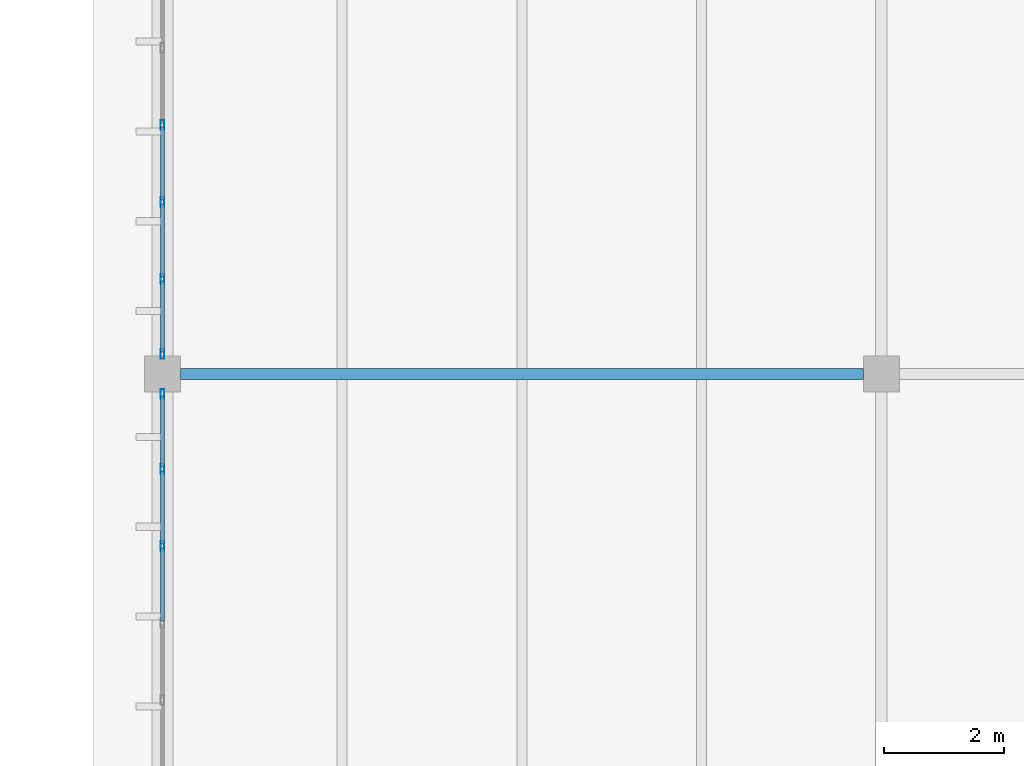
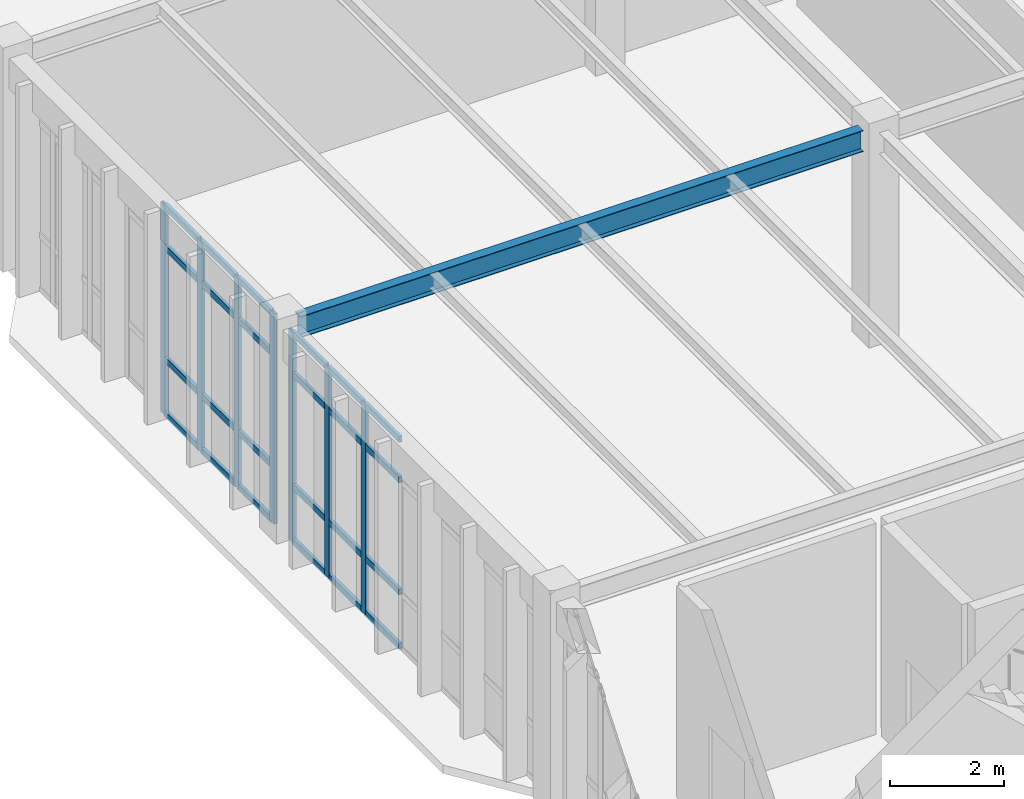
# One storey, part 157 of 236: 31 members, 1 beam, 2 elements without a shape of their own.
"""IFC4 building model written with IfcOpenShell, lengths in metres."""

from ifc_helpers import new_model, si_unit, direction, frame, origin, origin_2d, place, context, subcontext, project, spatial, hollow_rectangle, i_section, extrude, material, layer, layer_set, material_profile, profile_set, type_object, element, aggregate, save


model = new_model("IFC4")

# Units and contexts
model_context = context("Model", 3, precision=1e-05, world=origin(), true_north=direction((0.0, 1.0)))
body_context = subcontext(model_context, "Body", "Model", "MODEL_VIEW")
ifc_project = project(units=[si_unit("LENGTHUNIT", "METRE"), si_unit("AREAUNIT", "SQUARE_METRE"), si_unit("VOLUMEUNIT", "CUBIC_METRE"), si_unit("PLANEANGLEUNIT", "RADIAN"), si_unit("MASSUNIT", "GRAM", prefix="KILO")], contexts=[model_context])

# Site, building, storey
site_placement = place(None, origin())
site = spatial("IfcSite", under=ifc_project, at=site_placement, CompositionType="ELEMENT")
building_placement = place(site_placement, origin())
building = spatial("IfcBuilding", under=site, at=building_placement, Name="Pandanus Reach Market Hall", CompositionType="ELEMENT")
storey_placement = place(building_placement, frame((0.0, 0.0, 5.39990234375)))
storey = spatial("IfcBuildingStorey", under=building, at=storey_placement, Name="L01", CompositionType="ELEMENT", Elevation=5.39990234375)

# Beam
ifc_material_1 = material(Name="Steel Grade 350 (350 MPa)", Category="steel")
ifc_material_profile_1 = material_profile(ifc_material_1, i_section(OverallWidth=0.18994140625, OverallDepth=0.45703125, WebThickness=0.009033203125, FlangeThickness=0.014404296875, at=origin_2d()), Name="460UB74.6", Category="LoadBearing")
ifc_profile_set_1 = profile_set([ifc_material_profile_1], Name="Steel Grade 350 (350 MPa)")
beam_type = type_object("IfcBeamType", Name="BM-UB460-I", PredefinedType="BEAM", material=ifc_profile_set_1)
beam_placement = place(storey_placement, frame((144.298095703125, 67.199951171875, 4.311279296875), z_axis=(1.0, 0.0, 0.0), x_axis=(0.0, 1.0, 0.0)))
element("IfcBeam", 1, at=beam_placement, inside=storey, type_object=beam_type, Name="Framing beam BM-UB460-I L01.324", PredefinedType="BEAM", context=body_context, shape_type="SweptSolid", body=[
    extrude(i_section(OverallWidth=0.18994140625, OverallDepth=0.45703125, WebThickness=0.009033203125, FlangeThickness=0.014404296875, at=origin_2d()), origin(), (0.0, 0.0, 1.0), 11.40380859375),
])

# Curtain wall, members
ifc_material_2 = material(Name="Bronze anodised aluminium and low-E glass", Category="aluminium")
ifc_layer = layer(ifc_material_2, 0.159912109375, Name="CW-29")
ifc_layer_set = layer_set([ifc_layer], Name="Bronze anodised aluminium and low-E glass")
curtain_wall_type = type_object("IfcCurtainWallType", Name="CW-29", PredefinedType="NOTDEFINED", material=ifc_layer_set)
curtain_wall_1_placement = place(storey_placement, origin())
curtain_wall_1 = element("IfcCurtainWall", 2, at=curtain_wall_1_placement, inside=storey, type_object=curtain_wall_type, Name="Glazed curtain wall CW-29 CW-0096", PredefinedType="NOTDEFINED")
ifc_material_3 = material(Name="Bronze anodised aluminium", Category="aluminium")
ifc_material_profile_2 = material_profile(ifc_material_3, hollow_rectangle(XDim=0.06494140625, YDim=0.159912109375, WallThickness=0.00390625, at=origin_2d()), Name="ALU65x160", Category="LoadBearing")
ifc_profile_set_2 = profile_set([ifc_material_profile_2], Name="Bronze anodised aluminium")
member_type_1 = type_object("IfcMemberType", Name="CW-M1", PredefinedType="MULLION", material=ifc_profile_set_2)
member_1_placement = place(storey_placement, frame((144.0, 64.32861328125, 0.0), z_axis=(0.0, 0.0, 1.0), x_axis=(-1.0, 0.0, 0.0)))
member_1 = element("IfcMember", 3, at=member_1_placement, type_object=member_type_1, Name="CW-29 mullion 6", PredefinedType="MULLION", context=body_context, shape_type="SweptSolid", body=[
    extrude(hollow_rectangle(XDim=0.06494140625, YDim=0.159912109375, WallThickness=0.00390625, at=origin_2d()), origin(), (0.0, 0.0, 1.0), 4.5),
])
member_2_placement = place(storey_placement, frame((144.0, 65.6142578125, 0.0), z_axis=(0.0, 0.0, 1.0), x_axis=(-1.0, 0.0, 0.0)))
member_2 = element("IfcMember", 4, at=member_2_placement, type_object=member_type_1, Name="CW-29 mullion 7", PredefinedType="MULLION", context=body_context, shape_type="SweptSolid", body=[
    extrude(hollow_rectangle(XDim=0.06494140625, YDim=0.159912109375, WallThickness=0.00390625, at=origin_2d()), origin(), (0.0, 0.0, 1.0), 4.5),
])
member_3_placement = place(storey_placement, frame((144.0, 66.867431640625, 0.0), z_axis=(0.0, 0.0, 1.0), x_axis=(-1.0, 0.0, 0.0)))
member_3 = element("IfcMember", 5, at=member_3_placement, type_object=member_type_1, Name="CW-29 mullion 8", PredefinedType="MULLION", context=body_context, shape_type="SweptSolid", body=[
    extrude(hollow_rectangle(XDim=0.06494140625, YDim=0.159912109375, WallThickness=0.00390625, at=origin_2d()), origin(), (0.0, 0.0, 1.0), 4.5),
])

curtain_wall_2_placement = place(storey_placement, origin())
curtain_wall_2 = element("IfcCurtainWall", 6, at=curtain_wall_2_placement, inside=storey, type_object=curtain_wall_type, Name="Glazed curtain wall CW-29 CW-0097", PredefinedType="NOTDEFINED")
member_4_placement = place(storey_placement, frame((144.0, 67.532470703125, 0.0), z_axis=(0.0, 0.0, 1.0), x_axis=(-1.0, 0.0, 0.0)))
member_4 = element("IfcMember", 7, at=member_4_placement, type_object=member_type_1, Name="CW-29 mullion 1", PredefinedType="MULLION", context=body_context, shape_type="SweptSolid", body=[
    extrude(hollow_rectangle(XDim=0.06494140625, YDim=0.159912109375, WallThickness=0.00390625, at=origin_2d()), origin(), (0.0, 0.0, 1.0), 4.5),
])
member_5_placement = place(storey_placement, frame((144.0, 68.78564453125, 0.0), z_axis=(0.0, 0.0, 1.0), x_axis=(-1.0, 0.0, 0.0)))
member_5 = element("IfcMember", 8, at=member_5_placement, type_object=member_type_1, Name="CW-29 mullion 2", PredefinedType="MULLION", context=body_context, shape_type="SweptSolid", body=[
    extrude(hollow_rectangle(XDim=0.06494140625, YDim=0.159912109375, WallThickness=0.00390625, at=origin_2d()), origin(), (0.0, 0.0, 1.0), 4.5),
])
member_6_placement = place(storey_placement, frame((144.0, 70.071533203125, 0.0), z_axis=(0.0, 0.0, 1.0), x_axis=(-1.0, 0.0, 0.0)))
member_6 = element("IfcMember", 9, at=member_6_placement, type_object=member_type_1, Name="CW-29 mullion 3", PredefinedType="MULLION", context=body_context, shape_type="SweptSolid", body=[
    extrude(hollow_rectangle(XDim=0.06494140625, YDim=0.159912109375, WallThickness=0.00390625, at=origin_2d()), origin(), (0.0, 0.0, 1.0), 4.5),
])
member_7_placement = place(storey_placement, frame((144.0, 71.357177734375, 0.0), z_axis=(0.0, 0.0, 1.0), x_axis=(-1.0, 0.0, 0.0)))
member_7 = element("IfcMember", 10, at=member_7_placement, type_object=member_type_1, Name="CW-29 mullion 4", PredefinedType="MULLION", context=body_context, shape_type="SweptSolid", body=[
    extrude(hollow_rectangle(XDim=0.06494140625, YDim=0.159912109375, WallThickness=0.00390625, at=origin_2d()), origin(), (0.0, 0.0, 1.0), 4.5),
])

# Member
ifc_material_profile_3 = material_profile(ifc_material_3, hollow_rectangle(XDim=0.06494140625, YDim=0.1298828125, WallThickness=0.00390625, at=origin_2d()), Name="ALU65x130", Category="LoadBearing")
ifc_profile_set_3 = profile_set([ifc_material_profile_3], Name="Bronze anodised aluminium")
member_type_2 = type_object("IfcMemberType", Name="CW-T1", PredefinedType="USERDEFINED", material=ifc_profile_set_3)
member_8_placement = place(storey_placement, frame((144.0, 63.075439453125, 0.03271484375), z_axis=(0.0, 1.0, 0.0), x_axis=(-1.0, 0.0, 0.0)))
member_8 = element("IfcMember", 11, at=member_8_placement, type_object=member_type_2, Name="CW-29 transom 5.1", ObjectType="TRANSOM", PredefinedType="USERDEFINED", context=body_context, shape_type="SweptSolid", body=[
    extrude(hollow_rectangle(XDim=0.06494140625, YDim=0.1298828125, WallThickness=0.00390625, at=origin_2d()), origin(), (0.0, 0.0, 1.0), 1.220703125),
])

member_9_placement = place(storey_placement, frame((144.0, 63.075439453125, 1.2001953125), z_axis=(0.0, 1.0, 0.0), x_axis=(-1.0, 0.0, 0.0)))
member_9 = element("IfcMember", 12, at=member_9_placement, type_object=member_type_2, Name="CW-29 transom 5.2", ObjectType="TRANSOM", PredefinedType="USERDEFINED", context=body_context, shape_type="SweptSolid", body=[
    extrude(hollow_rectangle(XDim=0.06494140625, YDim=0.1298828125, WallThickness=0.00390625, at=origin_2d()), origin(), (0.0, 0.0, 1.0), 1.220703125),
])

member_10_placement = place(storey_placement, frame((144.0, 63.075439453125, 3.60009765625), z_axis=(0.0, 1.0, 0.0), x_axis=(-1.0, 0.0, 0.0)))
member_10 = element("IfcMember", 13, at=member_10_placement, type_object=member_type_2, Name="CW-29 transom 5.3", ObjectType="TRANSOM", PredefinedType="USERDEFINED", context=body_context, shape_type="SweptSolid", body=[
    extrude(hollow_rectangle(XDim=0.06494140625, YDim=0.1298828125, WallThickness=0.00390625, at=origin_2d()), origin(), (0.0, 0.0, 1.0), 1.220703125),
])

member_11_placement = place(storey_placement, frame((144.0, 63.075439453125, 4.467529296875), z_axis=(0.0, 1.0, 0.0), x_axis=(-1.0, 0.0, 0.0)))
member_11 = element("IfcMember", 14, at=member_11_placement, type_object=member_type_2, Name="CW-29 transom 5.4", ObjectType="TRANSOM", PredefinedType="USERDEFINED", context=body_context, shape_type="SweptSolid", body=[
    extrude(hollow_rectangle(XDim=0.06494140625, YDim=0.1298828125, WallThickness=0.00390625, at=origin_2d()), origin(), (0.0, 0.0, 1.0), 1.220703125),
])

member_12_placement = place(storey_placement, frame((144.0, 64.361083984375, 0.03271484375), z_axis=(0.0, 1.0, 0.0), x_axis=(-1.0, 0.0, 0.0)))
member_12 = element("IfcMember", 15, at=member_12_placement, type_object=member_type_2, Name="CW-29 transom 6.1", ObjectType="TRANSOM", PredefinedType="USERDEFINED", context=body_context, shape_type="SweptSolid", body=[
    extrude(hollow_rectangle(XDim=0.06494140625, YDim=0.1298828125, WallThickness=0.00390625, at=origin_2d()), origin(), (0.0, 0.0, 1.0), 1.220703125),
])

member_13_placement = place(storey_placement, frame((144.0, 64.361083984375, 1.2001953125), z_axis=(0.0, 1.0, 0.0), x_axis=(-1.0, 0.0, 0.0)))
member_13 = element("IfcMember", 16, at=member_13_placement, type_object=member_type_2, Name="CW-29 transom 6.2", ObjectType="TRANSOM", PredefinedType="USERDEFINED", context=body_context, shape_type="SweptSolid", body=[
    extrude(hollow_rectangle(XDim=0.06494140625, YDim=0.1298828125, WallThickness=0.00390625, at=origin_2d()), origin(), (0.0, 0.0, 1.0), 1.220703125),
])

member_14_placement = place(storey_placement, frame((144.0, 64.361083984375, 3.60009765625), z_axis=(0.0, 1.0, 0.0), x_axis=(-1.0, 0.0, 0.0)))
member_14 = element("IfcMember", 17, at=member_14_placement, type_object=member_type_2, Name="CW-29 transom 6.3", ObjectType="TRANSOM", PredefinedType="USERDEFINED", context=body_context, shape_type="SweptSolid", body=[
    extrude(hollow_rectangle(XDim=0.06494140625, YDim=0.1298828125, WallThickness=0.00390625, at=origin_2d()), origin(), (0.0, 0.0, 1.0), 1.220703125),
])

member_15_placement = place(storey_placement, frame((144.0, 64.361083984375, 4.467529296875), z_axis=(0.0, 1.0, 0.0), x_axis=(-1.0, 0.0, 0.0)))
member_15 = element("IfcMember", 18, at=member_15_placement, type_object=member_type_2, Name="CW-29 transom 6.4", ObjectType="TRANSOM", PredefinedType="USERDEFINED", context=body_context, shape_type="SweptSolid", body=[
    extrude(hollow_rectangle(XDim=0.06494140625, YDim=0.1298828125, WallThickness=0.00390625, at=origin_2d()), origin(), (0.0, 0.0, 1.0), 1.220703125),
])

member_16_placement = place(storey_placement, frame((144.0, 65.646728515625, 0.03271484375), z_axis=(0.0, 1.0, 0.0), x_axis=(-1.0, 0.0, 0.0)))
member_16 = element("IfcMember", 19, at=member_16_placement, type_object=member_type_2, Name="CW-29 transom 7.1", ObjectType="TRANSOM", PredefinedType="USERDEFINED", context=body_context, shape_type="SweptSolid", body=[
    extrude(hollow_rectangle(XDim=0.06494140625, YDim=0.1298828125, WallThickness=0.00390625, at=origin_2d()), origin(), (0.0, 0.0, 1.0), 1.188232421875),
])

member_17_placement = place(storey_placement, frame((144.0, 65.646728515625, 1.2001953125), z_axis=(0.0, 1.0, 0.0), x_axis=(-1.0, 0.0, 0.0)))
member_17 = element("IfcMember", 20, at=member_17_placement, type_object=member_type_2, Name="CW-29 transom 7.2", ObjectType="TRANSOM", PredefinedType="USERDEFINED", context=body_context, shape_type="SweptSolid", body=[
    extrude(hollow_rectangle(XDim=0.06494140625, YDim=0.1298828125, WallThickness=0.00390625, at=origin_2d()), origin(), (0.0, 0.0, 1.0), 1.188232421875),
])

member_18_placement = place(storey_placement, frame((144.0, 65.646728515625, 3.60009765625), z_axis=(0.0, 1.0, 0.0), x_axis=(-1.0, 0.0, 0.0)))
member_18 = element("IfcMember", 21, at=member_18_placement, type_object=member_type_2, Name="CW-29 transom 7.3", ObjectType="TRANSOM", PredefinedType="USERDEFINED", context=body_context, shape_type="SweptSolid", body=[
    extrude(hollow_rectangle(XDim=0.06494140625, YDim=0.1298828125, WallThickness=0.00390625, at=origin_2d()), origin(), (0.0, 0.0, 1.0), 1.188232421875),
])

member_19_placement = place(storey_placement, frame((144.0, 65.646728515625, 4.467529296875), z_axis=(0.0, 1.0, 0.0), x_axis=(-1.0, 0.0, 0.0)))
member_19 = element("IfcMember", 22, at=member_19_placement, type_object=member_type_2, Name="CW-29 transom 7.4", ObjectType="TRANSOM", PredefinedType="USERDEFINED", context=body_context, shape_type="SweptSolid", body=[
    extrude(hollow_rectangle(XDim=0.06494140625, YDim=0.1298828125, WallThickness=0.00390625, at=origin_2d()), origin(), (0.0, 0.0, 1.0), 1.188232421875),
])

aggregate(curtain_wall_1, [member_1, member_2, member_3, member_8, member_9, member_10, member_11, member_12, member_13, member_14, member_15, member_16, member_17, member_18, member_19])

member_20_placement = place(storey_placement, frame((144.0, 67.56494140625, 0.03271484375), z_axis=(0.0, 1.0, 0.0), x_axis=(-1.0, 0.0, 0.0)))
member_20 = element("IfcMember", 23, at=member_20_placement, type_object=member_type_2, Name="CW-29 transom 1.1", ObjectType="TRANSOM", PredefinedType="USERDEFINED", context=body_context, shape_type="SweptSolid", body=[
    extrude(hollow_rectangle(XDim=0.06494140625, YDim=0.1298828125, WallThickness=0.00390625, at=origin_2d()), origin(), (0.0, 0.0, 1.0), 1.188232421875),
])

member_21_placement = place(storey_placement, frame((144.0, 67.56494140625, 1.2001953125), z_axis=(0.0, 1.0, 0.0), x_axis=(-1.0, 0.0, 0.0)))
member_21 = element("IfcMember", 24, at=member_21_placement, type_object=member_type_2, Name="CW-29 transom 1.2", ObjectType="TRANSOM", PredefinedType="USERDEFINED", context=body_context, shape_type="SweptSolid", body=[
    extrude(hollow_rectangle(XDim=0.06494140625, YDim=0.1298828125, WallThickness=0.00390625, at=origin_2d()), origin(), (0.0, 0.0, 1.0), 1.188232421875),
])

member_22_placement = place(storey_placement, frame((144.0, 67.56494140625, 3.60009765625), z_axis=(0.0, 1.0, 0.0), x_axis=(-1.0, 0.0, 0.0)))
member_22 = element("IfcMember", 25, at=member_22_placement, type_object=member_type_2, Name="CW-29 transom 1.3", ObjectType="TRANSOM", PredefinedType="USERDEFINED", context=body_context, shape_type="SweptSolid", body=[
    extrude(hollow_rectangle(XDim=0.06494140625, YDim=0.1298828125, WallThickness=0.00390625, at=origin_2d()), origin(), (0.0, 0.0, 1.0), 1.188232421875),
])

member_23_placement = place(storey_placement, frame((144.0, 67.56494140625, 4.467529296875), z_axis=(0.0, 1.0, 0.0), x_axis=(-1.0, 0.0, 0.0)))
member_23 = element("IfcMember", 26, at=member_23_placement, type_object=member_type_2, Name="CW-29 transom 1.4", ObjectType="TRANSOM", PredefinedType="USERDEFINED", context=body_context, shape_type="SweptSolid", body=[
    extrude(hollow_rectangle(XDim=0.06494140625, YDim=0.1298828125, WallThickness=0.00390625, at=origin_2d()), origin(), (0.0, 0.0, 1.0), 1.188232421875),
])

member_24_placement = place(storey_placement, frame((144.0, 68.818115234375, 0.03271484375), z_axis=(0.0, 1.0, 0.0), x_axis=(-1.0, 0.0, 0.0)))
member_24 = element("IfcMember", 27, at=member_24_placement, type_object=member_type_2, Name="CW-29 transom 2.1", ObjectType="TRANSOM", PredefinedType="USERDEFINED", context=body_context, shape_type="SweptSolid", body=[
    extrude(hollow_rectangle(XDim=0.06494140625, YDim=0.1298828125, WallThickness=0.00390625, at=origin_2d()), origin(), (0.0, 0.0, 1.0), 1.220703125),
])

member_25_placement = place(storey_placement, frame((144.0, 68.818115234375, 1.2001953125), z_axis=(0.0, 1.0, 0.0), x_axis=(-1.0, 0.0, 0.0)))
member_25 = element("IfcMember", 28, at=member_25_placement, type_object=member_type_2, Name="CW-29 transom 2.2", ObjectType="TRANSOM", PredefinedType="USERDEFINED", context=body_context, shape_type="SweptSolid", body=[
    extrude(hollow_rectangle(XDim=0.06494140625, YDim=0.1298828125, WallThickness=0.00390625, at=origin_2d()), origin(), (0.0, 0.0, 1.0), 1.220703125),
])

member_26_placement = place(storey_placement, frame((144.0, 68.818115234375, 3.60009765625), z_axis=(0.0, 1.0, 0.0), x_axis=(-1.0, 0.0, 0.0)))
member_26 = element("IfcMember", 29, at=member_26_placement, type_object=member_type_2, Name="CW-29 transom 2.3", ObjectType="TRANSOM", PredefinedType="USERDEFINED", context=body_context, shape_type="SweptSolid", body=[
    extrude(hollow_rectangle(XDim=0.06494140625, YDim=0.1298828125, WallThickness=0.00390625, at=origin_2d()), origin(), (0.0, 0.0, 1.0), 1.220703125),
])

member_27_placement = place(storey_placement, frame((144.0, 68.818115234375, 4.467529296875), z_axis=(0.0, 1.0, 0.0), x_axis=(-1.0, 0.0, 0.0)))
member_27 = element("IfcMember", 30, at=member_27_placement, type_object=member_type_2, Name="CW-29 transom 2.4", ObjectType="TRANSOM", PredefinedType="USERDEFINED", context=body_context, shape_type="SweptSolid", body=[
    extrude(hollow_rectangle(XDim=0.06494140625, YDim=0.1298828125, WallThickness=0.00390625, at=origin_2d()), origin(), (0.0, 0.0, 1.0), 1.220703125),
])

member_28_placement = place(storey_placement, frame((144.0, 70.10400390625, 0.03271484375), z_axis=(0.0, 1.0, 0.0), x_axis=(-1.0, 0.0, 0.0)))
member_28 = element("IfcMember", 31, at=member_28_placement, type_object=member_type_2, Name="CW-29 transom 3.1", ObjectType="TRANSOM", PredefinedType="USERDEFINED", context=body_context, shape_type="SweptSolid", body=[
    extrude(hollow_rectangle(XDim=0.06494140625, YDim=0.1298828125, WallThickness=0.00390625, at=origin_2d()), origin(), (0.0, 0.0, 1.0), 1.220703125),
])

member_29_placement = place(storey_placement, frame((144.0, 70.10400390625, 1.2001953125), z_axis=(0.0, 1.0, 0.0), x_axis=(-1.0, 0.0, 0.0)))
member_29 = element("IfcMember", 32, at=member_29_placement, type_object=member_type_2, Name="CW-29 transom 3.2", ObjectType="TRANSOM", PredefinedType="USERDEFINED", context=body_context, shape_type="SweptSolid", body=[
    extrude(hollow_rectangle(XDim=0.06494140625, YDim=0.1298828125, WallThickness=0.00390625, at=origin_2d()), origin(), (0.0, 0.0, 1.0), 1.220703125),
])

member_30_placement = place(storey_placement, frame((144.0, 70.10400390625, 3.60009765625), z_axis=(0.0, 1.0, 0.0), x_axis=(-1.0, 0.0, 0.0)))
member_30 = element("IfcMember", 33, at=member_30_placement, type_object=member_type_2, Name="CW-29 transom 3.3", ObjectType="TRANSOM", PredefinedType="USERDEFINED", context=body_context, shape_type="SweptSolid", body=[
    extrude(hollow_rectangle(XDim=0.06494140625, YDim=0.1298828125, WallThickness=0.00390625, at=origin_2d()), origin(), (0.0, 0.0, 1.0), 1.220703125),
])

member_31_placement = place(storey_placement, frame((144.0, 70.10400390625, 4.467529296875), z_axis=(0.0, 1.0, 0.0), x_axis=(-1.0, 0.0, 0.0)))
member_31 = element("IfcMember", 34, at=member_31_placement, type_object=member_type_2, Name="CW-29 transom 3.4", ObjectType="TRANSOM", PredefinedType="USERDEFINED", context=body_context, shape_type="SweptSolid", body=[
    extrude(hollow_rectangle(XDim=0.06494140625, YDim=0.1298828125, WallThickness=0.00390625, at=origin_2d()), origin(), (0.0, 0.0, 1.0), 1.220703125),
])

aggregate(curtain_wall_2, [member_4, member_5, member_6, member_7, member_20, member_21, member_22, member_23, member_24, member_25, member_26, member_27, member_28, member_29, member_30, member_31])

save(model, "model.ifc")
